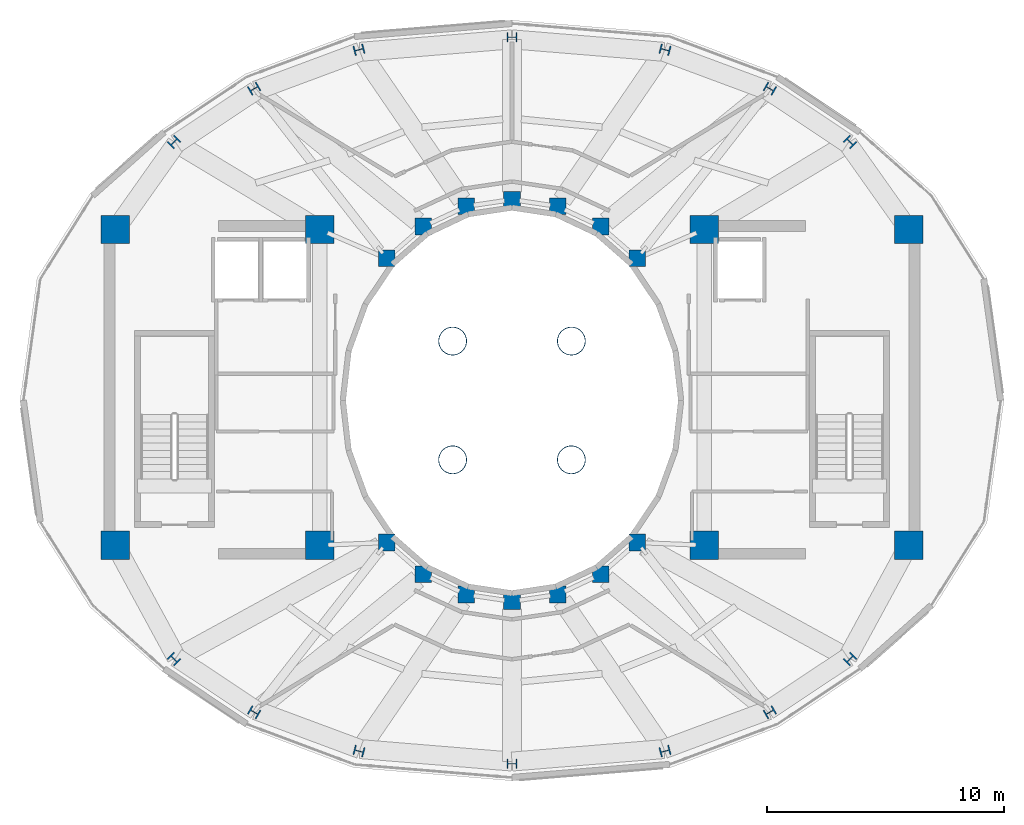
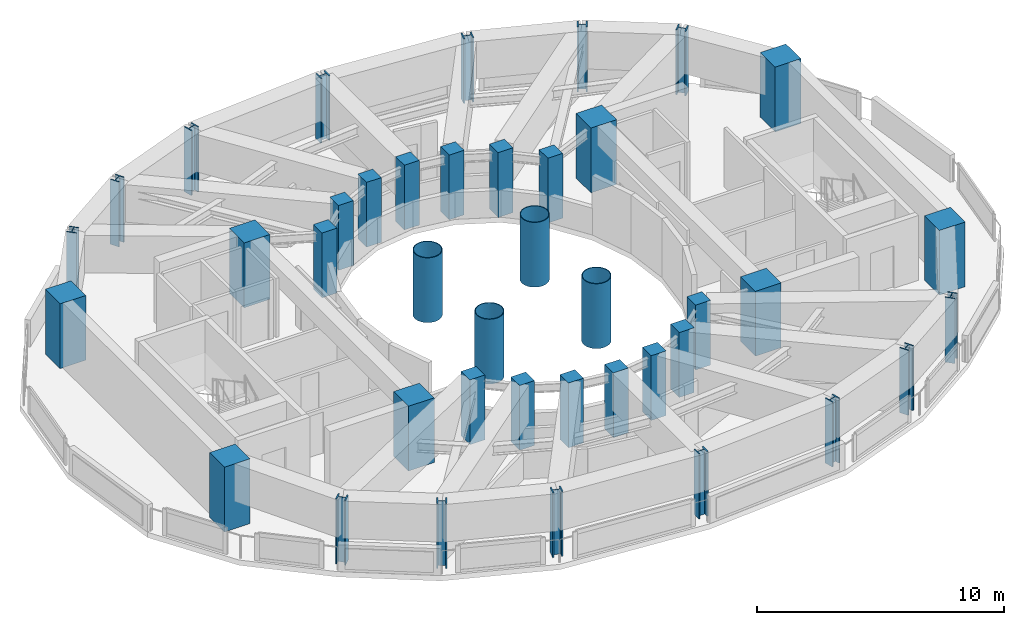
# One storey, part 1 of 18: 40 columns.
"""IFC4 building model written with IfcOpenShell, lengths in metres."""

from ifc_helpers import new_model, si_unit, direction, frame, origin, origin_2d, place, context, subcontext, project, spatial, rectangle, hollow_circle, i_section, extrude, material, material_profile, profile_set, type_object, element, save


model = new_model("IFC4")

# Units and contexts
model_context = context("Model", 3, precision=1e-05, world=origin(), true_north=direction((0.0, 1.0)))
body_context = subcontext(model_context, "Body", "Model", "MODEL_VIEW")
ifc_project = project(units=[si_unit("LENGTHUNIT", "METRE"), si_unit("AREAUNIT", "SQUARE_METRE"), si_unit("VOLUMEUNIT", "CUBIC_METRE"), si_unit("PLANEANGLEUNIT", "RADIAN"), si_unit("MASSUNIT", "GRAM", prefix="KILO")], contexts=[model_context])

# Site, building, storey
site_placement = place(None, origin())
site = spatial("IfcSite", under=ifc_project, at=site_placement, CompositionType="ELEMENT")
building_placement = place(site_placement, origin())
building = spatial("IfcBuilding", under=site, at=building_placement, Name="Solvane Sanctuary Tower", CompositionType="ELEMENT")
storey_placement = place(building_placement, frame((0.0, 0.0, 266.800048828125)))
storey = spatial("IfcBuildingStorey", under=building, at=storey_placement, Name="L81", CompositionType="ELEMENT", Elevation=266.800048828125)

# Columns
ifc_material_1 = material(Name="Steel ASTM A913 Grade 65", Category="steel")
ifc_material_profile_1 = material_profile(ifc_material_1, i_section(OverallWidth=0.412109375, OverallDepth=0.43505859375, WebThickness=0.035888671875, FlangeThickness=0.057373046875, FilletRadius=0.02490234375, at=origin_2d()), Name="W14X311")
ifc_profile_set_1 = profile_set([ifc_material_profile_1], Name="Steel ASTM A913 Grade 65")
column_type_1 = type_object("IfcColumnType", Name="Column C-CROWN W14X311", PredefinedType="COLUMN", material=ifc_profile_set_1)
for number, where, z_axis, x_axis, name in (
    (1, (46.23388671875, 33.887451171875, 0.0), (0.0, 0.0, 1.0), (0.707106781187, 0.707106781187, 0.0), "L81 Perimeter Tube Column TC01"),
    (2, (42.860107421875, 36.129150390625, 0.0), (0.0, 0.0, 1.0), (0.5, 0.866025403784, 0.0), "L81 Perimeter Tube Column TC02"),
    (3, (38.443603515625, 37.76953125, 0.0), (0.0, 0.0, 1.0), (0.258819045103, 0.965925826289, 0.0), "L81 Perimeter Tube Column TC03"),
    (4, (32.0, 38.298095703125, 0.0), (0.0, 0.0, 1.0), (0.0, 1.0, 0.0), "L81 Perimeter Tube Column TC04"),
    (5, (25.556396484375, 37.76953125, 0.0), (0.0, 0.0, 1.0), (-0.258819045103, 0.965925826289, 0.0), "L81 Perimeter Tube Column TC05"),
    (6, (21.139892578125, 36.129150390625, 0.0), (0.0, 0.0, 1.0), (-0.5, 0.866025403784, 0.0), "L81 Perimeter Tube Column TC06"),
    (7, (17.76611328125, 33.887451171875, 0.0), (0.0, 0.0, 1.0), (-0.707106781187, 0.707106781187, 0.0), "L81 Perimeter Tube Column TC07"),
    (8, (17.76611328125, 12.112548828125, 0.0), (0.0, 0.0, 1.0), (-0.707106781187, -0.707106781187, 0.0), "L81 Perimeter Tube Column TC08"),
    (9, (21.139892578125, 9.870849609375, 0.0), (0.0, 0.0, 1.0), (-0.5, -0.866025403784, 0.0), "L81 Perimeter Tube Column TC09"),
    (10, (25.556396484375, 8.23046875, 0.0), (0.0, 0.0, 1.0), (-0.258819045103, -0.965925826289, 0.0), "L81 Perimeter Tube Column TC10"),
    (11, (32.0, 7.701904296875, 0.0), (0.0, 0.0, 1.0), (0.0, -1.0, 0.0), "L81 Perimeter Tube Column TC11"),
    (12, (38.443603515625, 8.23046875, 0.0), (0.0, 0.0, 1.0), (0.258819045103, -0.965925826289, 0.0), "L81 Perimeter Tube Column TC12"),
    (13, (42.860107421875, 9.870849609375, 0.0), (0.0, 0.0, 1.0), (0.5, -0.866025403784, 0.0), "L81 Perimeter Tube Column TC13"),
    (14, (46.23388671875, 12.112548828125, 0.0), (0.0, 0.0, 1.0), (0.707106781187, -0.707106781187, 0.0), "L81 Perimeter Tube Column TC14"),
):
    element("IfcColumn", number, at=place(storey_placement, frame(where, z_axis=z_axis, x_axis=x_axis)), inside=storey, type_object=column_type_1, Name=name, PredefinedType="COLUMN", context=body_context, shape_type="SweptSolid", body=[
        extrude(i_section(OverallWidth=0.412109375, OverallDepth=0.43505859375, WebThickness=0.035888671875, FlangeThickness=0.057373046875, FilletRadius=0.02490234375, at=origin_2d()), origin(), (0.0, 0.0, 1.0), 3.199951171875),
    ])
ifc_material_2 = material(Name="Concrete C50/60", Category="concrete")
ifc_material_profile_2 = material_profile(ifc_material_2, rectangle(XDim=0.699951171875, YDim=0.699951171875, at=origin_2d()), Name="RC700X700")
ifc_profile_set_2 = profile_set([ifc_material_profile_2], Name="Concrete C50/60")
column_type_2 = type_object("IfcColumnType", Name="Column C-RING-Z4 RC700X700", PredefinedType="COLUMN", material=ifc_profile_set_2)
for number, where, z_axis, x_axis, name in (
    (15, (37.27490234375, 28.982177734375, 0.0), (0.0, 0.0, 1.0), (1.0, 0.0, 0.0), "L81 Inner Light-Well Ring Column IC01"),
    (16, (35.72998046875, 30.32666015625, 0.0), (0.0, 0.0, 1.0), (1.0, 0.0, 0.0), "L81 Inner Light-Well Ring Column IC02"),
    (17, (33.930908203125, 31.171630859375, 0.0), (0.0, 0.0, 1.0), (1.0, 0.0, 0.0), "L81 Inner Light-Well Ring Column IC03"),
    (18, (32.0, 31.4599609375, 0.0), (0.0, 0.0, 1.0), (1.0, 0.0, 0.0), "L81 Inner Light-Well Ring Column IC04"),
    (19, (30.069091796875, 31.171630859375, 0.0), (0.0, 0.0, 1.0), (1.0, 0.0, 0.0), "L81 Inner Light-Well Ring Column IC05"),
    (20, (28.27001953125, 30.32666015625, 0.0), (0.0, 0.0, 1.0), (1.0, 0.0, 0.0), "L81 Inner Light-Well Ring Column IC06"),
    (21, (26.72509765625, 28.982177734375, 0.0), (0.0, 0.0, 1.0), (1.0, 0.0, 0.0), "L81 Inner Light-Well Ring Column IC07"),
    (22, (26.72509765625, 17.017822265625, 0.0), (0.0, 0.0, 1.0), (1.0, 0.0, 0.0), "L81 Inner Light-Well Ring Column IC08"),
    (23, (28.27001953125, 15.67333984375, 0.0), (0.0, 0.0, 1.0), (1.0, 0.0, 0.0), "L81 Inner Light-Well Ring Column IC09"),
    (24, (30.069091796875, 14.828369140625, 0.0), (0.0, 0.0, 1.0), (1.0, 0.0, 0.0), "L81 Inner Light-Well Ring Column IC10"),
    (25, (32.0, 14.5400390625, 0.0), (0.0, 0.0, 1.0), (1.0, 0.0, 0.0), "L81 Inner Light-Well Ring Column IC11"),
    (26, (33.930908203125, 14.828369140625, 0.0), (0.0, 0.0, 1.0), (1.0, 0.0, 0.0), "L81 Inner Light-Well Ring Column IC12"),
    (27, (35.72998046875, 15.67333984375, 0.0), (0.0, 0.0, 1.0), (1.0, 0.0, 0.0), "L81 Inner Light-Well Ring Column IC13"),
    (28, (37.27490234375, 17.017822265625, 0.0), (0.0, 0.0, 1.0), (1.0, 0.0, 0.0), "L81 Inner Light-Well Ring Column IC14"),
):
    element("IfcColumn", number, at=place(storey_placement, frame(where, z_axis=z_axis, x_axis=x_axis)), inside=storey, type_object=column_type_2, Name=name, PredefinedType="COLUMN", context=body_context, shape_type="SweptSolid", body=[
        extrude(rectangle(XDim=0.699951171875, YDim=0.699951171875, at=origin_2d()), origin(), (0.0, 0.0, 1.0), 3.199951171875),
    ])
ifc_material_profile_3 = material_profile(ifc_material_1, hollow_circle(Radius=0.60009765625, WallThickness=0.031982421875, at=origin_2d()), Name="CHS1200X32")
ifc_profile_set_3 = profile_set([ifc_material_profile_3], Name="Steel ASTM A913 Grade 65")
column_type_3 = type_object("IfcColumnType", Name="Column C-SPIRE-L CHS1200X32", PredefinedType="PILASTER", material=ifc_profile_set_3)
for number, where, z_axis, x_axis, name in (
    (29, (29.5, 20.5, 0.0), (0.0, 0.0, 1.0), (1.0, 0.0, 0.0), "L81 Spire Lower Anchorage Pilaster Leg 1"),
    (30, (34.5, 20.5, 0.0), (0.0, 0.0, 1.0), (1.0, 0.0, 0.0), "L81 Spire Lower Anchorage Pilaster Leg 2"),
    (31, (34.5, 25.5, 0.0), (0.0, 0.0, 1.0), (1.0, 0.0, 0.0), "L81 Spire Lower Anchorage Pilaster Leg 3"),
    (32, (29.5, 25.5, 0.0), (0.0, 0.0, 1.0), (1.0, 0.0, 0.0), "L81 Spire Lower Anchorage Pilaster Leg 4"),
):
    element("IfcColumn", number, at=place(storey_placement, frame(where, z_axis=z_axis, x_axis=x_axis)), inside=storey, type_object=column_type_3, Name=name, PredefinedType="PILASTER", context=body_context, shape_type="SweptSolid", body=[
        extrude(hollow_circle(Radius=0.60009765625, WallThickness=0.031982421875, at=origin_2d()), origin(), (0.0, 0.0, 1.0), 3.199951171875),
    ])
ifc_material_3 = material(Name="Concrete C70/85", Category="concrete")
ifc_material_profile_4 = material_profile(ifc_material_3, rectangle(XDim=1.199951171875, YDim=1.199951171875, at=origin_2d()), Name="RC1200X1200")
ifc_profile_set_4 = profile_set([ifc_material_profile_4], Name="Concrete C70/85")
column_type_4 = type_object("IfcColumnType", Name="Column C-TUBE-Z1 RC1200X1200", PredefinedType="COLUMN", material=ifc_profile_set_4)
for number, where, z_axis, x_axis, name in (
    (33, (15.300048828125, 16.89990234375, 0.0), (0.0, 0.0, 1.0), (1.0, 0.0, 0.0), "L81 Core Corner Column CW1"),
    (34, (23.89990234375, 16.89990234375, 0.0), (0.0, 0.0, 1.0), (1.0, 0.0, 0.0), "L81 Core Corner Column CW2"),
    (35, (23.89990234375, 30.199951171875, 0.0), (0.0, 0.0, 1.0), (1.0, 0.0, 0.0), "L81 Core Corner Column CW3"),
    (36, (15.300048828125, 30.199951171875, 0.0), (0.0, 0.0, 1.0), (1.0, 0.0, 0.0), "L81 Core Corner Column CW4"),
    (37, (40.10009765625, 16.89990234375, 0.0), (0.0, 0.0, 1.0), (1.0, 0.0, 0.0), "L81 Core Corner Column CE1"),
    (38, (48.699951171875, 16.89990234375, 0.0), (0.0, 0.0, 1.0), (1.0, 0.0, 0.0), "L81 Core Corner Column CE2"),
    (39, (48.699951171875, 30.199951171875, 0.0), (0.0, 0.0, 1.0), (1.0, 0.0, 0.0), "L81 Core Corner Column CE3"),
    (40, (40.10009765625, 30.199951171875, 0.0), (0.0, 0.0, 1.0), (1.0, 0.0, 0.0), "L81 Core Corner Column CE4"),
):
    element("IfcColumn", number, at=place(storey_placement, frame(where, z_axis=z_axis, x_axis=x_axis)), inside=storey, type_object=column_type_4, Name=name, PredefinedType="COLUMN", context=body_context, shape_type="SweptSolid", body=[
        extrude(rectangle(XDim=1.199951171875, YDim=1.199951171875, at=origin_2d()), origin(), (0.0, 0.0, 1.0), 3.199951171875),
    ])

save(model, "model.ifc")
